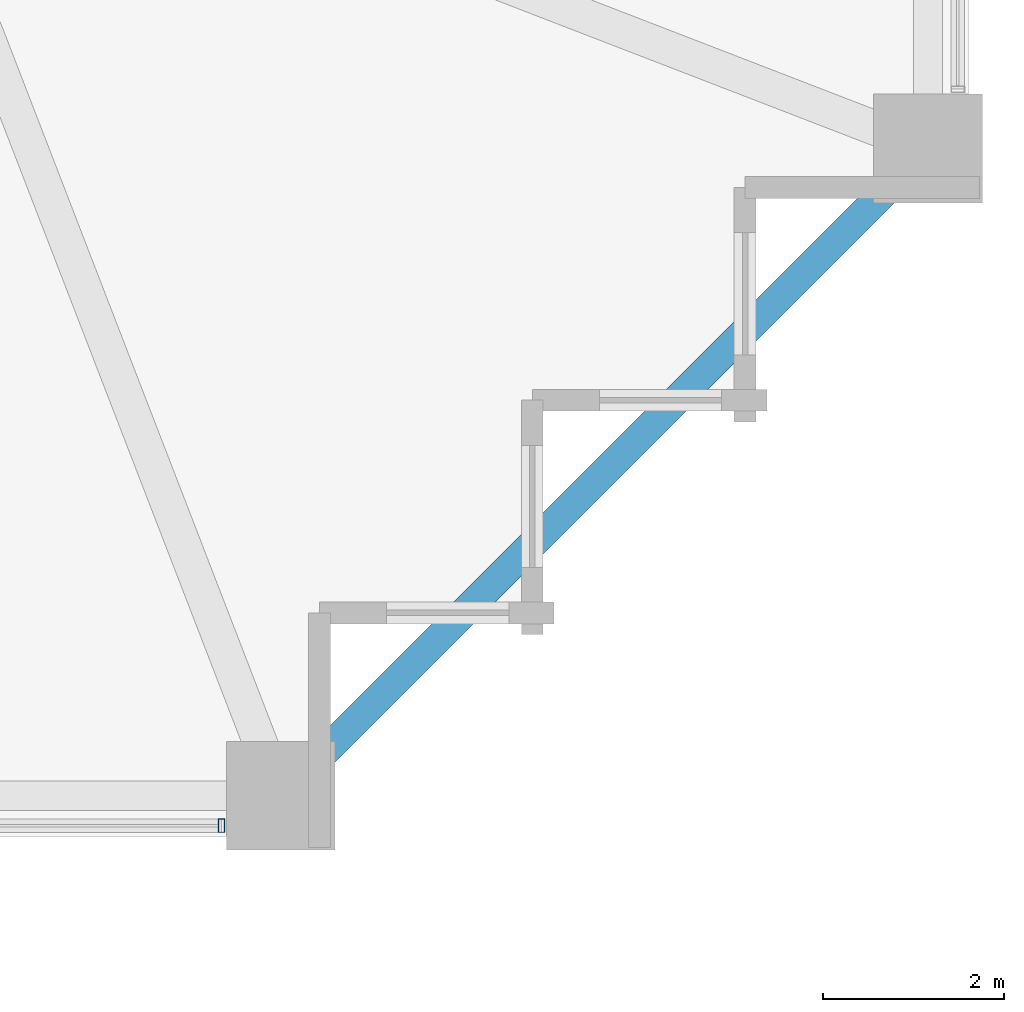
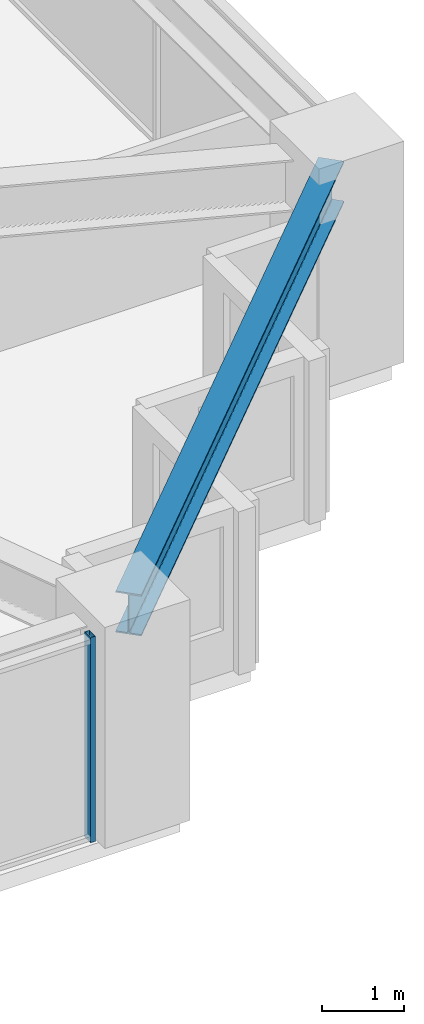
# One storey, part 11 of 38: 1 beam, 1 member, 1 element without a shape of its own.
"""IFC4 building model written with IfcOpenShell, lengths in metres."""

from ifc_helpers import new_model, si_unit, direction, frame, origin, origin_2d, place, context, subcontext, project, spatial, hollow_rectangle, i_section, extrude, material, material_profile, profile_set, type_object, element, aggregate, save


model = new_model("IFC4")

# Units and contexts
model_context = context("Model", 3, precision=1e-05, world=origin(), true_north=direction((0.0, 1.0)))
body_context = subcontext(model_context, "Body", "Model", "MODEL_VIEW")
ifc_project = project(units=[si_unit("LENGTHUNIT", "METRE"), si_unit("AREAUNIT", "SQUARE_METRE"), si_unit("VOLUMEUNIT", "CUBIC_METRE"), si_unit("PLANEANGLEUNIT", "RADIAN"), si_unit("MASSUNIT", "GRAM", prefix="KILO")], contexts=[model_context])

# Site, building, storey
site_placement = place(None, origin())
site = spatial("IfcSite", under=ifc_project, at=site_placement, CompositionType="ELEMENT")
building_placement = place(site_placement, origin())
building = spatial("IfcBuilding", under=site, at=building_placement, Name="Kolvaren Belvedere", CompositionType="ELEMENT")
storey_placement = place(building_placement, frame((0.0, 0.0, 30.39990234375)))
storey = spatial("IfcBuildingStorey", under=building, at=storey_placement, Name="L08", CompositionType="ELEMENT", Elevation=30.39990234375)

# Beam
ifc_material_1 = material(Name="Structural steel ASTM A992 Grade 50", Category="steel")
ifc_material_profile_1 = material_profile(ifc_material_1, i_section(OverallWidth=0.324951171875, OverallDepth=0.615966796875, WebThickness=0.013916015625, FlangeThickness=0.021484375, FilletRadius=0.02001953125, at=origin_2d()), Name="W24X117")
ifc_profile_set_1 = profile_set([ifc_material_profile_1], Name="Structural steel ASTM A992 Grade 50")
beam_type = type_object("IfcBeamType", Name="BM-SPAN-W24X117", PredefinedType="SPANDREL", material=ifc_profile_set_1)
beam_placement = place(storey_placement, frame((14.5908203125, -21.359130859375, 2.752197265625), z_axis=(0.707106781187, 0.707106781187, 0.0), x_axis=(-0.707106781187, 0.707106781187, 0.0)))
element("IfcBeam", 1, at=beam_placement, inside=storey, type_object=beam_type, Name="L08 Perimeter Spandrel S4-E1", PredefinedType="SPANDREL", context=body_context, shape_type="SweptSolid", body=[
    extrude(i_section(OverallWidth=0.324951171875, OverallDepth=0.615966796875, WebThickness=0.013916015625, FlangeThickness=0.021484375, FilletRadius=0.02001953125, at=origin_2d()), origin(), (0.0, 0.0, 1.0), 9.57177734375),
])

# Curtain wall, member
ifc_material_2 = material(Name="Anodised pale-metal aluminium AA 6063-T6", Category="aluminium")
curtain_wall_type = type_object("IfcCurtainWallType", Name="CW-Z1-LOW", PredefinedType="NOTDEFINED", material=ifc_material_2)
curtain_wall_placement = place(storey_placement, origin())
curtain_wall = element("IfcCurtainWall", 2, at=curtain_wall_placement, inside=storey, type_object=curtain_wall_type, Name="L08 Unitised Curtain Wall FCW-L08-S1-B1", PredefinedType="NOTDEFINED")
ifc_material_3 = material(Name="Anodised pale-metal aluminium AA 6063-T6", Category="aluminium")
ifc_material_profile_2 = material_profile(ifc_material_3, hollow_rectangle(XDim=0.070068359375, YDim=0.14990234375, WallThickness=0.004150390625, at=origin_2d()), Name="ALU-MUL-150X70")
ifc_profile_set_2 = profile_set([ifc_material_profile_2], Name="Anodised pale-metal aluminium AA 6063-T6")
member_type = type_object("IfcMemberType", Name="CW-MUL-150", PredefinedType="MULLION", material=ifc_profile_set_2)
member_placement = place(storey_placement, frame((13.7451171875, -21.8798828125, 0.0), z_axis=(0.0, 0.0, 1.0), x_axis=(1.0, 0.0, 0.0)))
member = element("IfcMember", 3, at=member_placement, type_object=member_type, Name="FCW-L08-S1-B1 Unitised Mullion 1", PredefinedType="MULLION", context=body_context, shape_type="SweptSolid", body=[
    extrude(hollow_rectangle(XDim=0.070068359375, YDim=0.14990234375, WallThickness=0.004150390625, at=origin_2d()), origin(), (0.0, 0.0, 1.0), 3.06005859375),
])
aggregate(curtain_wall, [member])

save(model, "model.ifc")
